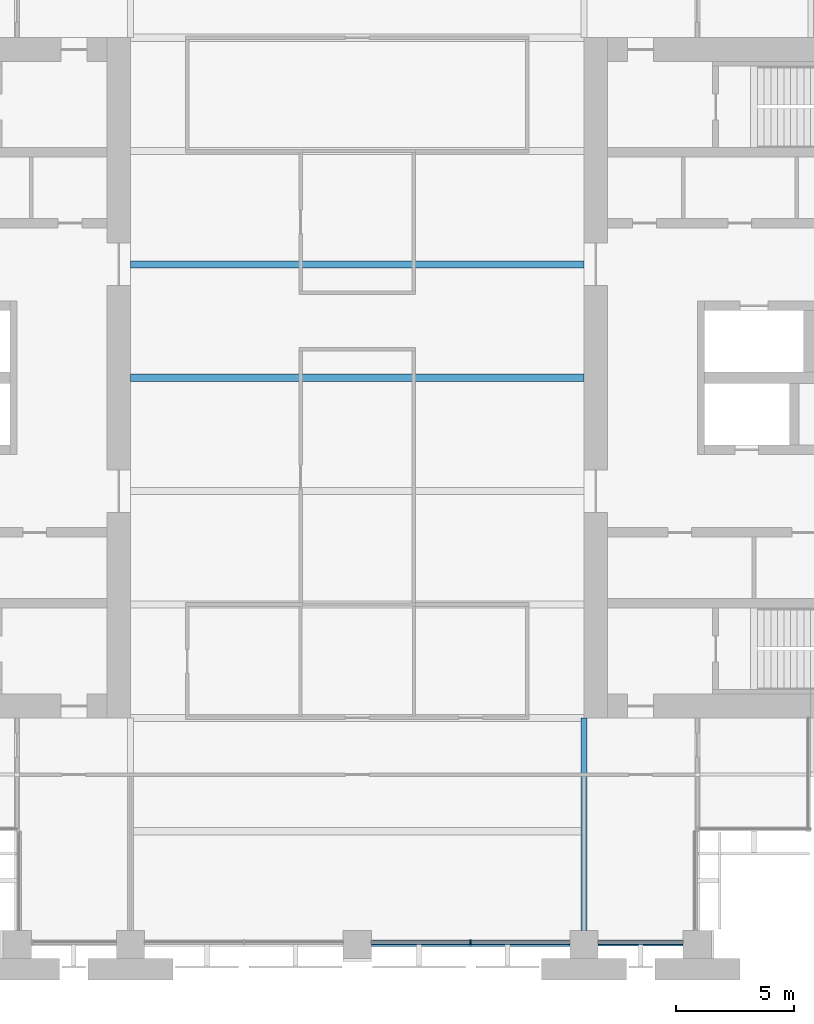
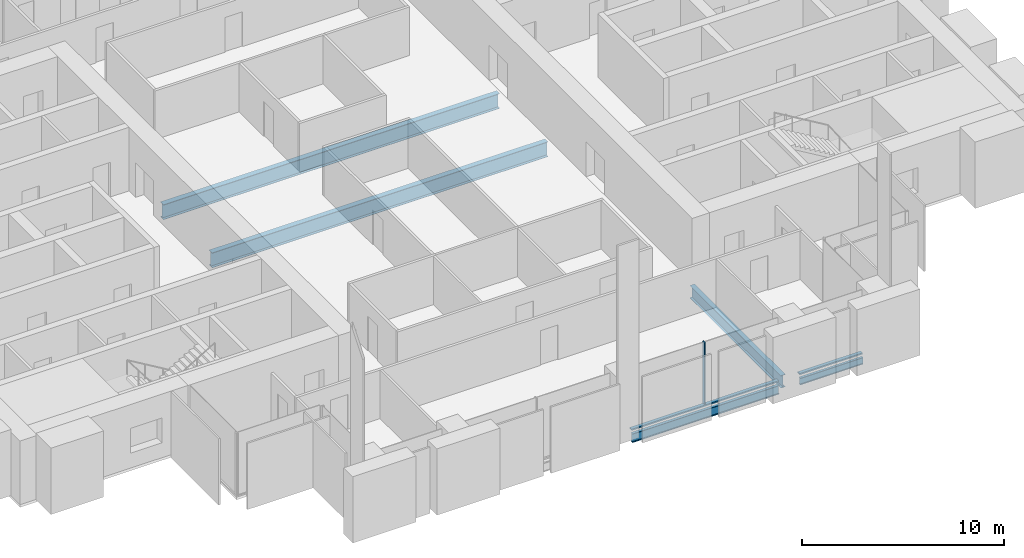
# One storey, part 3 of 14: 5 beams, 3 members, 1 element without a shape of its own.
"""IFC4 building model written with IfcOpenShell, lengths in metres."""

from ifc_helpers import new_model, si_unit, direction, frame, origin, origin_2d, place, context, subcontext, project, spatial, rectangle, i_section, extrude, material, material_profile, profile_set, type_object, element, aggregate, save


model = new_model("IFC4")

# Units and contexts
model_context = context("Model", 3, precision=1e-05, world=origin(), true_north=direction((0.0, 1.0)))
body_context = subcontext(model_context, "Body", "Model", "MODEL_VIEW")
ifc_project = project(units=[si_unit("LENGTHUNIT", "METRE"), si_unit("AREAUNIT", "SQUARE_METRE"), si_unit("VOLUMEUNIT", "CUBIC_METRE"), si_unit("PLANEANGLEUNIT", "RADIAN"), si_unit("MASSUNIT", "GRAM", prefix="KILO")], contexts=[model_context])

# Site, building, storey
site_placement = place(None, origin())
site = spatial("IfcSite", under=ifc_project, at=site_placement, CompositionType="ELEMENT")
building_placement = place(site_placement, origin())
building = spatial("IfcBuilding", under=site, at=building_placement, Name="Baori Bourse Tower", CompositionType="ELEMENT")
storey_placement = place(building_placement, frame((0.0, 0.0, 132.10009765625)))
storey = spatial("IfcBuildingStorey", under=building, at=storey_placement, Name="L28", CompositionType="ELEMENT", Elevation=132.10009765625)

# Curtain wall, members
ifc_material_1 = material(Name="Pale anodised aluminium", Category="aluminium")
curtain_wall_type = type_object("IfcCurtainWallType", Name="CW1 Curtain wall", PredefinedType="NOTDEFINED", material=ifc_material_1)
curtain_wall_placement = place(storey_placement, origin())
curtain_wall = element("IfcCurtainWall", 1, at=curtain_wall_placement, inside=storey, type_object=curtain_wall_type, Name="Curtain wall CW1 L28 11", PredefinedType="NOTDEFINED")
ifc_material_2 = material(Name="Pale anodised aluminium", Category="aluminium")
ifc_material_profile_1 = material_profile(ifc_material_2, rectangle(XDim=0.199951171875, YDim=0.06005859375, at=origin_2d()), Name="Mullion 60x200")
ifc_profile_set_1 = profile_set([ifc_material_profile_1], Name="Pale anodised aluminium")
member_type_1 = type_object("IfcMemberType", Name="CW1 Curtain wall mullion", PredefinedType="MULLION", material=ifc_profile_set_1)
member_1_placement = place(storey_placement, frame((33.60009765625, 0.10009765625, 0.079833984375), z_axis=(0.0, 0.0, 1.0), x_axis=(0.0, 1.0, 0.0)))
member_1 = element("IfcMember", 2, at=member_1_placement, type_object=member_type_1, Name="Curtain wall CW1 mullion", PredefinedType="MULLION", context=body_context, shape_type="SweptSolid", body=[
    extrude(rectangle(XDim=0.199951171875, YDim=0.06005859375, at=origin_2d()), origin(), (0.0, 0.0, 1.0), 3.760009765625),
])
ifc_material_3 = material(Name="Pale anodised aluminium", Category="aluminium")
ifc_material_profile_2 = material_profile(ifc_material_3, rectangle(XDim=0.199951171875, YDim=0.080078125, at=origin_2d()), Name="Transom 80x200")
ifc_profile_set_2 = profile_set([ifc_material_profile_2], Name="Pale anodised aluminium")
member_type_2 = type_object("IfcMemberType", Name="CW1 Curtain wall transom", PredefinedType="USERDEFINED", material=ifc_profile_set_2)
member_2_placement = place(storey_placement, frame((29.39990234375, 0.10009765625, 0.039794921875), z_axis=(1.0, 0.0, 0.0), x_axis=(0.0, 1.0, 0.0)))
member_2 = element("IfcMember", 3, at=member_2_placement, type_object=member_type_2, Name="Curtain wall CW1 sill rail", ObjectType="TRANSOM", PredefinedType="USERDEFINED", context=body_context, shape_type="SweptSolid", body=[
    extrude(rectangle(XDim=0.199951171875, YDim=0.080078125, at=origin_2d()), origin(), (0.0, 0.0, 1.0), 8.400146484375),
])
member_3_placement = place(storey_placement, frame((39.0, 0.10009765625, 0.039794921875), z_axis=(1.0, 0.0, 0.0), x_axis=(0.0, 1.0, 0.0)))
member_3 = element("IfcMember", 4, at=member_3_placement, type_object=member_type_2, Name="Curtain wall CW1 sill rail", ObjectType="TRANSOM", PredefinedType="USERDEFINED", context=body_context, shape_type="SweptSolid", body=[
    extrude(rectangle(XDim=0.199951171875, YDim=0.080078125, at=origin_2d()), origin(), (0.0, 0.0, 1.0), 3.60009765625),
])
aggregate(curtain_wall, [member_2, member_1, member_3])

# Beams
ifc_material_4 = material(Name="Steel A992 Gr 50", Category="steel")
ifc_material_profile_3 = material_profile(ifc_material_4, i_section(OverallWidth=0.140380859375, OverallDepth=0.40380859375, WebThickness=0.007080078125, FlangeThickness=0.01123046875, at=origin_2d()), Name="W16x31")
ifc_profile_set_3 = profile_set([ifc_material_profile_3], Name="Steel A992 Gr 50")
beam_type_1 = type_object("IfcBeamType", Name="Edge beam W16x31", PredefinedType="BEAM", material=ifc_profile_set_3)
beam_1_placement = place(storey_placement, frame((39.0, 0.0, -0.362060546875), z_axis=(1.0, 0.0, 0.0), x_axis=(0.0, 1.0, 0.0)))
element("IfcBeam", 5, at=beam_1_placement, inside=storey, type_object=beam_type_1, Name="Edge beam L28", PredefinedType="BEAM", context=body_context, shape_type="SweptSolid", body=[
    extrude(i_section(OverallWidth=0.140380859375, OverallDepth=0.40380859375, WebThickness=0.007080078125, FlangeThickness=0.01123046875, at=origin_2d()), origin(), (0.0, 0.0, 1.0), 3.60009765625),
])
ifc_material_5 = material(Name="Steel A992 Gr 50", Category="steel")
ifc_material_profile_4 = material_profile(ifc_material_5, i_section(OverallWidth=0.1650390625, OverallDepth=0.52587890625, WebThickness=0.0087890625, FlangeThickness=0.011474609375, at=origin_2d()), Name="W21x44")
ifc_profile_set_4 = profile_set([ifc_material_profile_4], Name="Steel A992 Gr 50")
beam_type_2 = type_object("IfcBeamType", Name="Edge beam W21x44", PredefinedType="BEAM", material=ifc_profile_set_4)
beam_2_placement = place(storey_placement, frame((29.39990234375, 0.0, -0.423095703125), z_axis=(1.0, 0.0, 0.0), x_axis=(0.0, 1.0, 0.0)))
element("IfcBeam", 6, at=beam_2_placement, inside=storey, type_object=beam_type_2, Name="Edge beam L28", PredefinedType="BEAM", context=body_context, shape_type="SweptSolid", body=[
    extrude(i_section(OverallWidth=0.1650390625, OverallDepth=0.52587890625, WebThickness=0.0087890625, FlangeThickness=0.011474609375, at=origin_2d()), origin(), (0.0, 0.0, 1.0), 8.400146484375),
])
ifc_material_6 = material(Name="Steel A992 Gr 50", Category="steel")
ifc_material_profile_5 = material_profile(ifc_material_6, i_section(OverallWidth=0.3046875, OverallDepth=0.904296875, WebThickness=0.01513671875, FlangeThickness=0.02001953125, at=origin_2d()), Name="W36x135")
ifc_profile_set_5 = profile_set([ifc_material_profile_5], Name="Steel A992 Gr 50")
beam_type_3 = type_object("IfcBeamType", Name="Floor beam W36x135", PredefinedType="BEAM", material=ifc_profile_set_5)
for number, where, z_axis, x_axis, name in (
    (7, (19.199951171875, 24.0, -0.6123046875), (1.0, 0.0, 0.0), (0.0, 1.0, 0.0), "Floor beam L28"),
    (8, (19.199951171875, 28.800048828125, -0.6123046875), (1.0, 0.0, 0.0), (0.0, 1.0, 0.0), "Floor beam L28"),
):
    element("IfcBeam", number, at=place(storey_placement, frame(where, z_axis=z_axis, x_axis=x_axis)), inside=storey, type_object=beam_type_3, Name=name, PredefinedType="BEAM", context=body_context, shape_type="SweptSolid", body=[
        extrude(i_section(OverallWidth=0.3046875, OverallDepth=0.904296875, WebThickness=0.01513671875, FlangeThickness=0.02001953125, at=origin_2d()), origin(), (0.0, 0.0, 1.0), 19.199951171875),
    ])
ifc_material_7 = material(Name="Steel A992 Gr 50", Category="steel")
ifc_material_profile_6 = material_profile(ifc_material_7, i_section(OverallWidth=0.26416015625, OverallDepth=0.749267578125, WebThickness=0.011962890625, FlangeThickness=0.015380859375, at=origin_2d()), Name="W30x90")
ifc_profile_set_6 = profile_set([ifc_material_profile_6], Name="Steel A992 Gr 50")
beam_type_4 = type_object("IfcBeamType", Name="Girder W30x90", PredefinedType="BEAM", material=ifc_profile_set_6)
beam_3_placement = place(storey_placement, frame((38.39990234375, 0.60009765625, -0.53466796875), z_axis=(0.0, 1.0, 0.0), x_axis=(-1.0, 0.0, 0.0)))
element("IfcBeam", 9, at=beam_3_placement, inside=storey, type_object=beam_type_4, Name="Girder L28", PredefinedType="BEAM", context=body_context, shape_type="SweptSolid", body=[
    extrude(i_section(OverallWidth=0.26416015625, OverallDepth=0.749267578125, WebThickness=0.011962890625, FlangeThickness=0.015380859375, at=origin_2d()), origin(), (0.0, 0.0, 1.0), 9.0),
])

save(model, "model.ifc")
